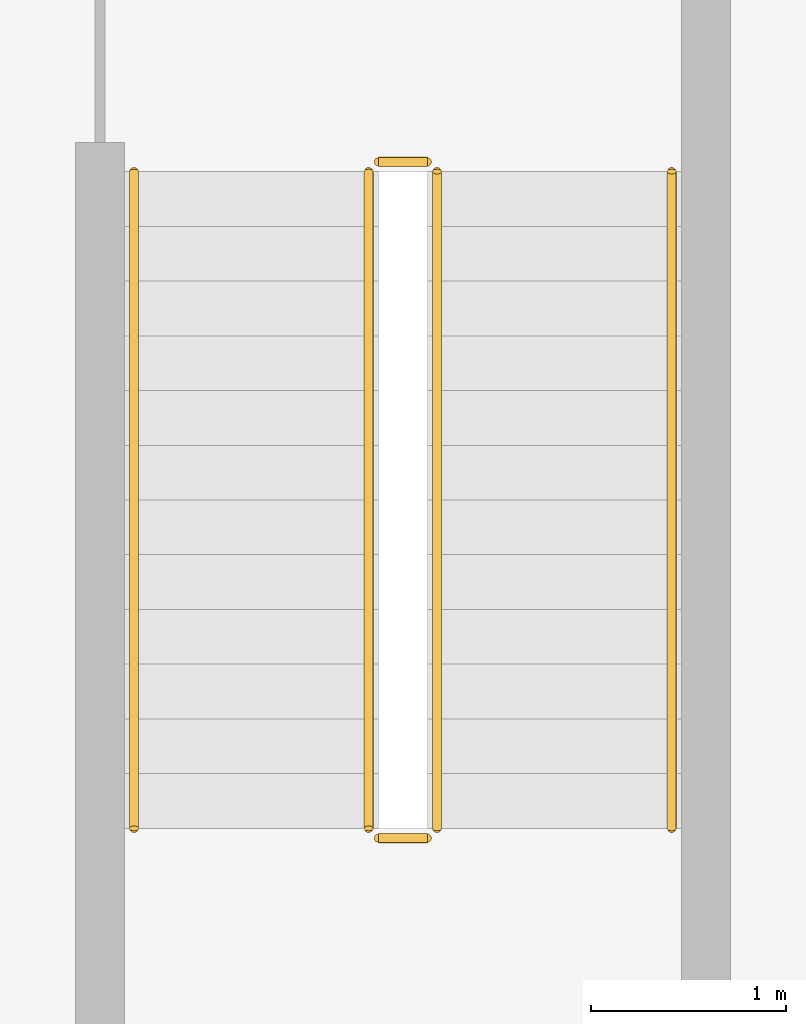
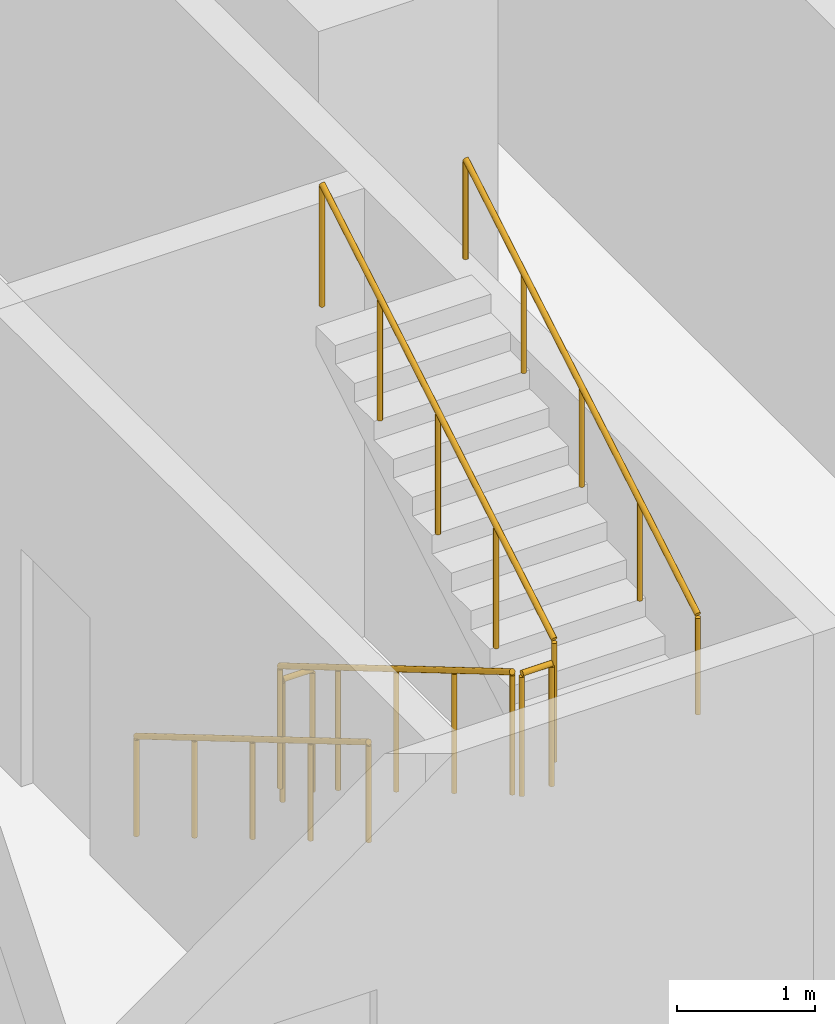
# One storey, part 25 of 29: 6 railings.
"""IFC4 building model written with IfcOpenShell, lengths in metres."""

from ifc_helpers import new_model, si_unit, direction, frame, origin, origin_2d, place, context, subcontext, project, spatial, circle, extrude, material, type_object, element, save


model = new_model("IFC4")

# Units and contexts
model_context = context("Model", 3, precision=1e-05, world=origin(), true_north=direction((0.0, 1.0)))
body_context = subcontext(model_context, "Body", "Model", "MODEL_VIEW")
ifc_project = project(units=[si_unit("LENGTHUNIT", "METRE"), si_unit("AREAUNIT", "SQUARE_METRE"), si_unit("VOLUMEUNIT", "CUBIC_METRE"), si_unit("PLANEANGLEUNIT", "RADIAN"), si_unit("MASSUNIT", "GRAM", prefix="KILO")], contexts=[model_context])

# Site, building, storey
site_placement = place(None, origin())
site = spatial("IfcSite", under=ifc_project, at=site_placement, CompositionType="ELEMENT")
building_placement = place(site_placement, origin())
building = spatial("IfcBuilding", under=site, at=building_placement, Name="Mahtab Terrace Research Tower", CompositionType="ELEMENT")
storey_placement = place(building_placement, frame((0.0, 0.0, 54.60009765625)))
storey = spatial("IfcBuildingStorey", under=building, at=storey_placement, Name="L12", CompositionType="ELEMENT", Elevation=54.60009765625)

# Railings
ifc_material = material(Name="Stainless steel AISI 304", Category="steel")
railing_type_1 = type_object("IfcRailingType", Name="Stair guard 1100", PredefinedType="GUARDRAIL", material=ifc_material)
railing_1_placement = place(storey_placement, frame((2.949951171875, -4.175048828125, 0.165283203125)))
element("IfcRailing", 1, at=railing_1_placement, inside=storey, type_object=railing_type_1, Name="L12 ST2 stair guard 1", PredefinedType="GUARDRAIL", context=body_context, shape_type="SweptSolid", body=[
    extrude(circle(Radius=0.02392578125, at=origin_2d()), frame((0.0, 0.0, 1.076171875), z_axis=(0.0, -0.861011212953, 0.508585972249), x_axis=(1.0, 0.0, 0.0)), (0.0, 0.0, 1.0), 3.90234375),
    extrude(circle(Radius=0.02099609375, at=origin_2d()), origin(), (0.0, 0.0, 1.0), 1.052001953125),
    extrude(circle(Radius=0.02099609375, at=origin_2d()), frame((0.0, -0.83984375, 0.49609375)), (0.0, 0.0, 1.0), 1.052001953125),
    extrude(circle(Radius=0.02099609375, at=origin_2d()), frame((0.0, -1.679931640625, 0.9921875)), (0.0, 0.0, 1.0), 1.052001953125),
    extrude(circle(Radius=0.02099609375, at=origin_2d()), frame((0.0, -2.52001953125, 1.488525390625)), (0.0, 0.0, 1.0), 1.052001953125),
    extrude(circle(Radius=0.02099609375, at=origin_2d()), frame((0.0, -3.35986328125, 1.984619140625)), (0.0, 0.0, 1.0), 1.052001953125),
])
railing_2_placement = place(storey_placement, frame((3.0, -7.5849609375, 2.14990234375)))
element("IfcRailing", 2, at=railing_2_placement, inside=storey, type_object=railing_type_1, Name="L12 ST2 stair guard 2", PredefinedType="GUARDRAIL", context=body_context, shape_type="SweptSolid", body=[
    extrude(circle(Radius=0.02392578125, at=origin_2d()), frame((0.0, 0.0, 1.076171875), z_axis=(1.0, 0.0, 0.0), x_axis=(0.0, 1.0, 0.0)), (0.0, 0.0, 1.0), 0.25),
    extrude(circle(Radius=0.02099609375, at=origin_2d()), origin(), (0.0, 0.0, 1.0), 1.052001953125),
    extrude(circle(Radius=0.02099609375, at=origin_2d()), frame((0.25, 0.0, 0.0)), (0.0, 0.0, 1.0), 1.052001953125),
])
railing_3_placement = place(storey_placement, frame((3.300048828125, -7.534912109375, 2.315185546875)))
element("IfcRailing", 3, at=railing_3_placement, inside=storey, type_object=railing_type_1, Name="L12 ST2 stair guard 3", PredefinedType="GUARDRAIL", context=body_context, shape_type="SweptSolid", body=[
    extrude(circle(Radius=0.02392578125, at=origin_2d()), frame((0.0, 0.0, 1.076171875), z_axis=(0.0, 0.861011212953, 0.508585972249), x_axis=(-1.0, 0.0, 0.0)), (0.0, 0.0, 1.0), 3.90234375),
    extrude(circle(Radius=0.02099609375, at=origin_2d()), origin(), (0.0, 0.0, 1.0), 1.052001953125),
    extrude(circle(Radius=0.02099609375, at=origin_2d()), frame((0.0, 0.83984375, 0.49609375)), (0.0, 0.0, 1.0), 1.052001953125),
    extrude(circle(Radius=0.02099609375, at=origin_2d()), frame((0.0, 1.679931640625, 0.9921875)), (0.0, 0.0, 1.0), 1.052001953125),
    extrude(circle(Radius=0.02099609375, at=origin_2d()), frame((0.0, 2.52001953125, 1.488525390625)), (0.0, 0.0, 1.0), 1.052001953125),
    extrude(circle(Radius=0.02099609375, at=origin_2d()), frame((0.0, 3.35986328125, 1.984619140625)), (0.0, 0.0, 1.0), 1.052001953125),
])
railing_4_placement = place(storey_placement, frame((3.0, -4.125, 0.0)))
element("IfcRailing", 4, at=railing_4_placement, inside=storey, type_object=railing_type_1, Name="L12 ST2 stair guard 4", PredefinedType="GUARDRAIL", context=body_context, shape_type="SweptSolid", body=[
    extrude(circle(Radius=0.02392578125, at=origin_2d()), frame((0.0, 0.0, 1.076171875), z_axis=(1.0, 0.0, 0.0), x_axis=(0.0, 1.0, 0.0)), (0.0, 0.0, 1.0), 0.25),
    extrude(circle(Radius=0.02099609375, at=origin_2d()), origin(), (0.0, 0.0, 1.0), 1.052001953125),
    extrude(circle(Radius=0.02099609375, at=origin_2d()), frame((0.25, 0.0, 0.0)), (0.0, 0.0, 1.0), 1.052001953125),
])
railing_type_2 = type_object("IfcRailingType", Name="Stair handrail 900", PredefinedType="HANDRAIL", material=ifc_material)
railing_5_placement = place(storey_placement, frame((1.75, -4.175048828125, 0.165283203125)))
element("IfcRailing", 5, at=railing_5_placement, inside=storey, type_object=railing_type_2, Name="L12 ST2 stair handrail 1", PredefinedType="HANDRAIL", context=body_context, shape_type="SweptSolid", body=[
    extrude(circle(Radius=0.02392578125, at=origin_2d()), frame((0.0, 0.0, 0.8759765625), z_axis=(0.0, -0.861011212953, 0.508585972249), x_axis=(1.0, 0.0, 0.0)), (0.0, 0.0, 1.0), 3.90234375),
    extrude(circle(Radius=0.02099609375, at=origin_2d()), origin(), (0.0, 0.0, 1.0), 0.851806640625),
    extrude(circle(Radius=0.02099609375, at=origin_2d()), frame((0.0, -0.83984375, 0.49609375)), (0.0, 0.0, 1.0), 0.851806640625),
    extrude(circle(Radius=0.02099609375, at=origin_2d()), frame((0.0, -1.679931640625, 0.9921875)), (0.0, 0.0, 1.0), 0.851806640625),
    extrude(circle(Radius=0.02099609375, at=origin_2d()), frame((0.0, -2.52001953125, 1.488525390625)), (0.0, 0.0, 1.0), 0.851806640625),
    extrude(circle(Radius=0.02099609375, at=origin_2d()), frame((0.0, -3.35986328125, 1.984619140625)), (0.0, 0.0, 1.0), 0.851806640625),
])
railing_6_placement = place(storey_placement, frame((4.5, -7.534912109375, 2.315185546875)))
element("IfcRailing", 6, at=railing_6_placement, inside=storey, type_object=railing_type_2, Name="L12 ST2 stair handrail 2", PredefinedType="HANDRAIL", context=body_context, shape_type="SweptSolid", body=[
    extrude(circle(Radius=0.02392578125, at=origin_2d()), frame((0.0, 0.0, 0.8759765625), z_axis=(0.0, 0.861011212953, 0.508585972249), x_axis=(-1.0, 0.0, 0.0)), (0.0, 0.0, 1.0), 3.90234375),
    extrude(circle(Radius=0.02099609375, at=origin_2d()), origin(), (0.0, 0.0, 1.0), 0.851806640625),
    extrude(circle(Radius=0.02099609375, at=origin_2d()), frame((0.0, 0.83984375, 0.49609375)), (0.0, 0.0, 1.0), 0.851806640625),
    extrude(circle(Radius=0.02099609375, at=origin_2d()), frame((0.0, 1.679931640625, 0.9921875)), (0.0, 0.0, 1.0), 0.851806640625),
    extrude(circle(Radius=0.02099609375, at=origin_2d()), frame((0.0, 2.52001953125, 1.488525390625)), (0.0, 0.0, 1.0), 0.851806640625),
    extrude(circle(Radius=0.02099609375, at=origin_2d()), frame((0.0, 3.35986328125, 1.984619140625)), (0.0, 0.0, 1.0), 0.851806640625),
])

save(model, "model.ifc")
